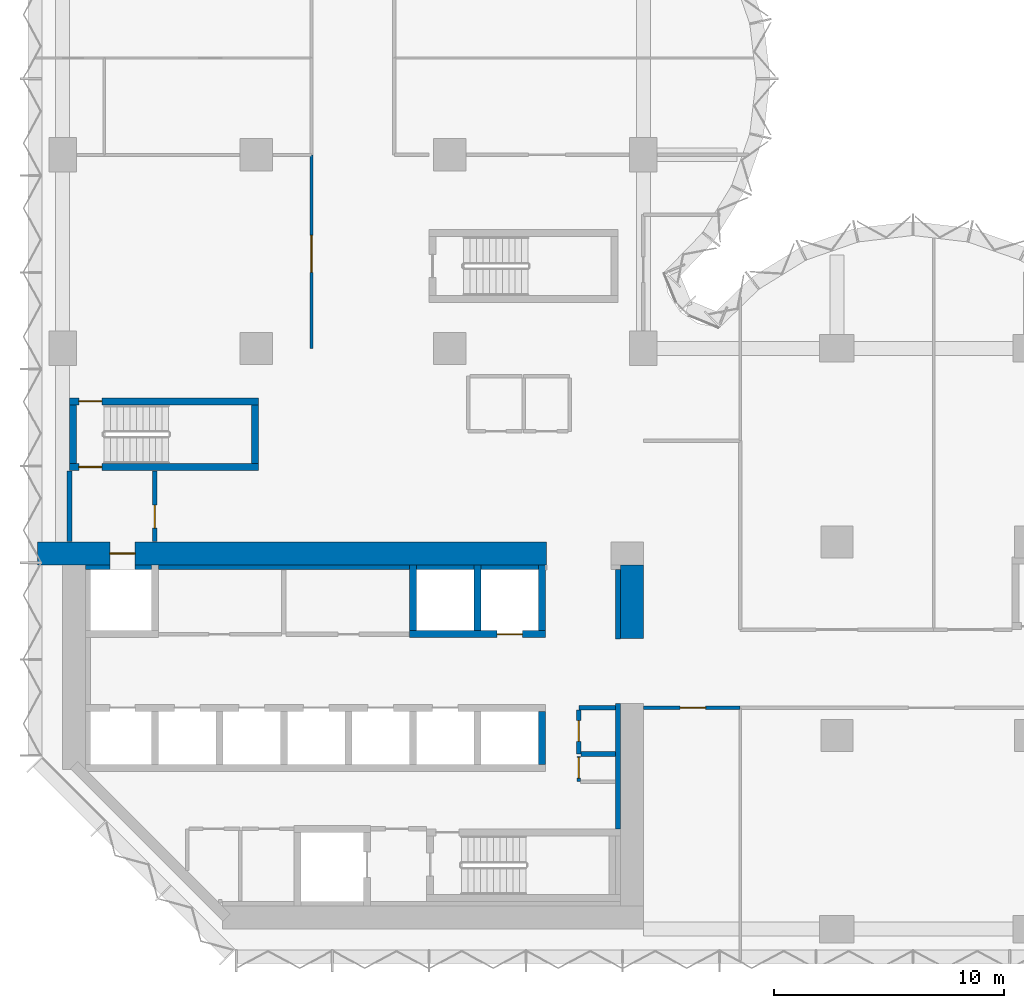
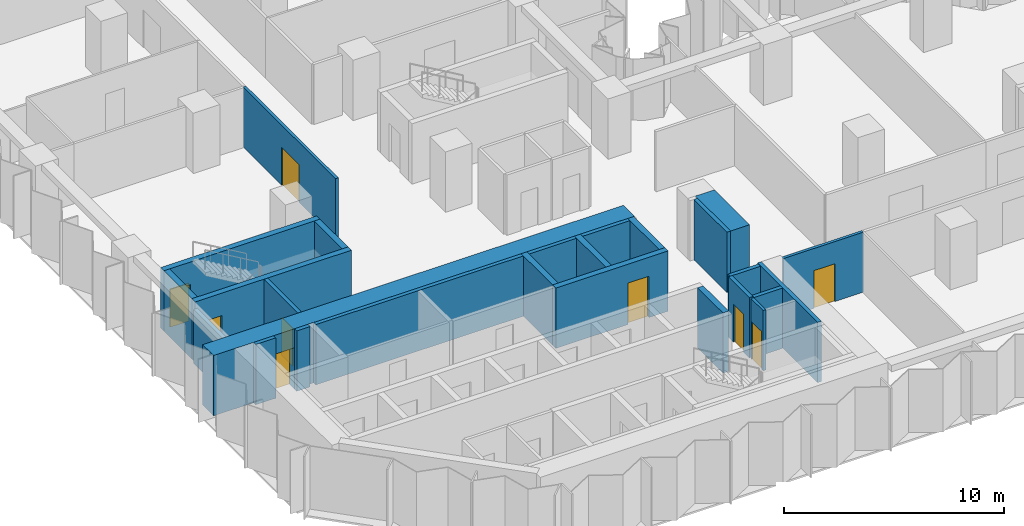
# One storey, part 8 of 15: 26 walls, 9 doors, 9 openings.
"""IFC4 building model written with IfcOpenShell, lengths in metres."""

from ifc_helpers import new_model, si_unit, direction, frame, frame_2d, origin, place, context, subcontext, project, spatial, rectangle, extrude, material, layer, layer_set, type_object, element, fill, save


model = new_model("IFC4")

# Units and contexts
model_context = context("Model", 3, precision=1e-05, world=origin(), true_north=direction((0.0, 1.0)))
body_context = subcontext(model_context, "Body", "Model", "MODEL_VIEW")
ifc_project = project(units=[si_unit("LENGTHUNIT", "METRE"), si_unit("AREAUNIT", "SQUARE_METRE"), si_unit("VOLUMEUNIT", "CUBIC_METRE"), si_unit("PLANEANGLEUNIT", "RADIAN"), si_unit("MASSUNIT", "GRAM", prefix="KILO")], contexts=[model_context])

# Site, building, storey
site_placement = place(None, origin())
site = spatial("IfcSite", under=ifc_project, at=site_placement, CompositionType="ELEMENT")
building_placement = place(site_placement, origin())
building = spatial("IfcBuilding", under=site, at=building_placement, Name="Brevane Broadcast Tower", CompositionType="ELEMENT")
storey_placement = place(building_placement, frame((0.0, 0.0, 79.699951171875)))
storey = spatial("IfcBuildingStorey", under=building, at=storey_placement, Name="L18", CompositionType="ELEMENT", Elevation=79.699951171875)

# Walls
ifc_material_1 = material(Name="Concrete C32/40", Category="concrete")
ifc_layer_1 = layer(ifc_material_1, 0.199951171875)
ifc_layer_set_1 = layer_set([ifc_layer_1], Name="Core chase wall 200 mm")
wall_type_1 = type_object("IfcWallType", Name="Core chase wall 200 mm", PredefinedType="PARTITIONING", material=ifc_layer_set_1)
wall_1_placement = place(storey_placement, frame((24.10009765625, 12.60009765625, 0.0), z_axis=(0.0, 0.0, 1.0), x_axis=(0.0, 1.0, 0.0)))
element("IfcWall", 1, at=wall_1_placement, inside=storey, type_object=wall_type_1, Name="L18 chase wall LE2", PredefinedType="PARTITIONING", context=body_context, shape_type="SweptSolid", body=[
    extrude(rectangle(XDim=3.0, YDim=0.199951171875, at=frame_2d((1.5, 0.0))), origin(), (0.0, 0.0, 1.0), 3.35009765625),
])
wall_2_placement = place(storey_placement, frame((1.0, 15.699951171875, 0.0), z_axis=(0.0, 0.0, 1.0), x_axis=(1.0, 0.0, 0.0)))
element("IfcWall", 2, at=wall_2_placement, inside=storey, type_object=wall_type_1, Name="L18 chase wall LN0", PredefinedType="PARTITIONING", context=body_context, shape_type="SweptSolid", body=[
    extrude(rectangle(XDim=1.050048828125, YDim=0.199951171875, at=frame_2d((0.52490234375, 0.0))), origin(), (0.0, 0.0, 1.0), 3.35009765625),
])
wall_3_placement = place(storey_placement, frame((3.14990234375, 15.699951171875, 0.0), z_axis=(0.0, 0.0, 1.0), x_axis=(1.0, 0.0, 0.0)))
element("IfcWall", 3, at=wall_3_placement, inside=storey, type_object=wall_type_1, Name="L18 chase wall LN1-1", PredefinedType="PARTITIONING", context=body_context, shape_type="SweptSolid", body=[
    extrude(rectangle(XDim=0.7001953125, YDim=0.199951171875, at=frame_2d((0.35009765625, 0.0))), origin(), (0.0, 0.0, 1.0), 3.35009765625),
])
wall_4_placement = place(storey_placement, frame((4.14990234375, 15.699951171875, 0.0), z_axis=(0.0, 0.0, 1.0), x_axis=(1.0, 0.0, 0.0)))
element("IfcWall", 4, at=wall_4_placement, inside=storey, type_object=wall_type_1, Name="L18 chase wall LN1-2-1", PredefinedType="PARTITIONING", context=body_context, shape_type="SweptSolid", body=[
    extrude(rectangle(XDim=10.900146484375, YDim=0.199951171875, at=frame_2d((5.4501953125, 0.0))), origin(), (0.0, 0.0, 1.0), 3.35009765625),
])
for number, where, z_axis, x_axis, name in (
    (5, (15.35009765625, 15.699951171875, 0.0), (0.0, 0.0, 1.0), (1.0, 0.0, 0.0), "L18 chase wall LN1-2-2-1"),
    (6, (18.14990234375, 15.699951171875, 0.0), (0.0, 0.0, 1.0), (1.0, 0.0, 0.0), "L18 chase wall LN1-2-2-2-1"),
):
    element("IfcWall", number, at=place(storey_placement, frame(where, z_axis=z_axis, x_axis=x_axis)), inside=storey, type_object=wall_type_1, Name=name, PredefinedType="PARTITIONING", context=body_context, shape_type="SweptSolid", body=[
        extrude(rectangle(XDim=2.5, YDim=0.199951171875, at=frame_2d((1.25, 0.0))), origin(), (0.0, 0.0, 1.0), 3.35009765625),
    ])
wall_5_placement = place(storey_placement, frame((24.10009765625, 4.35009765625, 0.0), z_axis=(0.0, 0.0, 1.0), x_axis=(0.0, 1.0, 0.0)))
element("IfcWall", 7, at=wall_5_placement, inside=storey, type_object=wall_type_1, Name="L18 chase wall LE1-2-2", PredefinedType="PARTITIONING", context=body_context, shape_type="SweptSolid", body=[
    extrude(rectangle(XDim=5.449951171875, YDim=0.199951171875, at=frame_2d((2.72509765625, 0.0))), origin(), (0.0, 0.0, 1.0), 3.35009765625),
])

# Wall, opening, door
ifc_material_2 = material(Name="Gypsum board on steel studs", Category="steel")
ifc_layer_2 = layer(ifc_material_2, 0.14990234375)
ifc_layer_set_2 = layer_set([ifc_layer_2], Name="Core fire partition 150 mm")
wall_type_2 = type_object("IfcWallType", Name="Core fire partition 150 mm", PredefinedType="PARTITIONING", material=ifc_layer_set_2)
wall_6_placement = place(storey_placement, frame((22.39990234375, 7.5, 0.0), z_axis=(0.0, 0.0, 1.0), x_axis=(0.0, -1.0, 0.0)))
wall_6 = element("IfcWall", 8, at=wall_6_placement, inside=storey, type_object=wall_type_2, Name="L18 partition wall P22", PredefinedType="PARTITIONING", context=body_context, shape_type="SweptSolid", body=[
    extrude(rectangle(XDim=1.10009765625, YDim=0.14990234375, at=frame_2d((0.550048828125, 0.0))), origin(), (0.0, 0.0, 1.0), 3.35009765625),
])
opening_1_placement = place(wall_6_placement, frame((0.050048828125, 0.0, 0.0)))
opening_1 = element("IfcOpeningElement", 9, at=opening_1_placement, cuts=wall_6, Name="Opening L18-K19", PredefinedType="OPENING", context=body_context, shape_type="SweptSolid", body=[
    extrude(rectangle(XDim=0.89990234375, YDim=2.10009765625, at=frame_2d((0.449951171875, 1.050048828125))), frame((0.0, 0.0849609375, 0.0), z_axis=(0.0, -1.0, 0.0), x_axis=(1.0, 0.0, 0.0)), (0.0, 0.0, 1.0), 0.169921875),
])
ifc_material_3 = material(Name="Steel", Category="steel")
door_type_1 = type_object("IfcDoorType", Name="Service room door 900 x 2100", OperationType="SINGLE_SWING_LEFT", PredefinedType="DOOR", material=ifc_material_3)
door_1_placement = place(opening_1_placement, origin())
door_1 = element("IfcDoor", 10, at=door_1_placement, inside=storey, type_object=door_type_1, Name="Door L18-K19", OperationType="SINGLE_SWING_LEFT", OverallHeight=2.10009765625, OverallWidth=0.89990234375, PredefinedType="DOOR", context=body_context, shape_type="SweptSolid", body=[
    extrude(rectangle(XDim=0.89990234375, YDim=2.10009765625, at=frame_2d((0.449951171875, 1.050048828125))), frame((0.0, 0.02490234375, 0.0), z_axis=(0.0, -1.0, 0.0), x_axis=(1.0, 0.0, 0.0)), (0.0, 0.0, 1.0), 0.050048828125),
])
fill(opening_1, door_1)

# Wall
ifc_layer_3 = layer(ifc_material_2, 0.199951171875)
ifc_layer_set_3 = layer_set([ifc_layer_3], Name="Core fire partition 200 mm")
wall_type_3 = type_object("IfcWallType", Name="Core fire partition 200 mm", PredefinedType="PARTITIONING", material=ifc_layer_set_3)
wall_7_placement = place(storey_placement, frame((0.300048828125, 16.81201171875, 0.0), z_axis=(0.0, 0.0, 1.0), x_axis=(0.0, 1.0, 0.0)))
element("IfcWall", 11, at=wall_7_placement, inside=storey, type_object=wall_type_3, Name="L18 partition wall P01", PredefinedType="PARTITIONING", context=body_context, shape_type="SweptSolid", body=[
    extrude(rectangle(XDim=3.075927734375, YDim=0.199951171875, at=frame_2d((1.5380859375, 0.0))), origin(), (0.0, 0.0, 1.0), 2.97998046875),
])

# Wall, opening, door
wall_8_placement = place(storey_placement, frame((4.0, 19.887939453125, 0.0), z_axis=(0.0, 0.0, 1.0), x_axis=(0.0, -1.0, 0.0)))
wall_8 = element("IfcWall", 12, at=wall_8_placement, inside=storey, type_object=wall_type_3, Name="L18 partition wall P02", PredefinedType="PARTITIONING", context=body_context, shape_type="SweptSolid", body=[
    extrude(rectangle(XDim=3.075927734375, YDim=0.199951171875, at=frame_2d((1.5380859375, 0.0))), origin(), (0.0, 0.0, 1.0), 3.35009765625),
])
opening_2_placement = place(wall_8_placement, frame((1.488037109375, 0.0, 0.0)))
opening_2 = element("IfcOpeningElement", 13, at=opening_2_placement, cuts=wall_8, Name="Opening L18-K23", PredefinedType="OPENING", context=body_context, shape_type="SweptSolid", body=[
    extrude(rectangle(XDim=1.0, YDim=2.10009765625, at=frame_2d((0.5, 1.050048828125))), frame((0.0, 0.10986328125, 0.0), z_axis=(0.0, -1.0, 0.0), x_axis=(1.0, 0.0, 0.0)), (0.0, 0.0, 1.0), 0.219970703125),
])
door_type_2 = type_object("IfcDoorType", Name="Stair door 1000 x 2100", OperationType="SINGLE_SWING_LEFT", PredefinedType="DOOR", material=ifc_material_3)
door_2_placement = place(opening_2_placement, origin())
door_2 = element("IfcDoor", 14, at=door_2_placement, inside=storey, type_object=door_type_2, Name="Door L18-K23", OperationType="SINGLE_SWING_LEFT", OverallHeight=2.10009765625, OverallWidth=1.0, PredefinedType="DOOR", context=body_context, shape_type="SweptSolid", body=[
    extrude(rectangle(XDim=1.0, YDim=2.10009765625, at=frame_2d((0.5, 1.050048828125))), frame((0.0, 0.02490234375, 0.0), z_axis=(0.0, -1.0, 0.0), x_axis=(1.0, 0.0, 0.0)), (0.0, 0.0, 1.0), 0.050048828125),
])
fill(opening_2, door_2)

# Wall
wall_9_placement = place(storey_placement, frame((23.988037109375, 9.60009765625, 0.0), z_axis=(0.0, 0.0, 1.0), x_axis=(-1.0, 0.0, 0.0)))
element("IfcWall", 15, at=wall_9_placement, inside=storey, type_object=wall_type_3, Name="L18 partition wall P06", PredefinedType="PARTITIONING", context=body_context, shape_type="SweptSolid", body=[
    extrude(rectangle(XDim=1.588134765625, YDim=0.199951171875, at=frame_2d((0.7939453125, 0.0))), origin(), (0.0, 0.0, 1.0), 3.35009765625),
])

# Wall, opening, door
wall_10_placement = place(storey_placement, frame((22.39990234375, 9.5, 0.0), z_axis=(0.0, 0.0, 1.0), x_axis=(0.0, -1.0, 0.0)))
wall_10 = element("IfcWall", 16, at=wall_10_placement, inside=storey, type_object=wall_type_3, Name="L18 partition wall P07", PredefinedType="PARTITIONING", context=body_context, shape_type="SweptSolid", body=[
    extrude(rectangle(XDim=1.89990234375, YDim=0.199951171875, at=frame_2d((0.949951171875, 0.0))), origin(), (0.0, 0.0, 1.0), 3.35009765625),
])
opening_3_placement = place(wall_10_placement, frame((0.449951171875, 0.0, 0.0)))
opening_3 = element("IfcOpeningElement", 17, at=opening_3_placement, cuts=wall_10, Name="Opening L18-K20", PredefinedType="OPENING", context=body_context, shape_type="SweptSolid", body=[
    extrude(rectangle(XDim=0.89990234375, YDim=2.10009765625, at=frame_2d((0.449951171875, 1.050048828125))), frame((0.0, 0.10986328125, 0.0), z_axis=(0.0, -1.0, 0.0), x_axis=(1.0, 0.0, 0.0)), (0.0, 0.0, 1.0), 0.219970703125),
])
door_3_placement = place(opening_3_placement, origin())
door_3 = element("IfcDoor", 18, at=door_3_placement, inside=storey, type_object=door_type_1, Name="Door L18-K20", OperationType="SINGLE_SWING_RIGHT", OverallHeight=2.10009765625, OverallWidth=0.89990234375, PredefinedType="DOOR", context=body_context, shape_type="SweptSolid", body=[
    extrude(rectangle(XDim=0.89990234375, YDim=2.10009765625, at=frame_2d((0.449951171875, 1.050048828125))), frame((0.0, 0.02490234375, 0.0), z_axis=(0.0, -1.0, 0.0), x_axis=(1.0, 0.0, 0.0)), (0.0, 0.0, 1.0), 0.050048828125),
])
fill(opening_3, door_3)

# Wall
wall_11_placement = place(storey_placement, frame((22.5, 7.60009765625, 0.0), z_axis=(0.0, 0.0, 1.0), x_axis=(1.0, 0.0, 0.0)))
element("IfcWall", 19, at=wall_11_placement, inside=storey, type_object=wall_type_3, Name="L18 partition wall P08", PredefinedType="PARTITIONING", context=body_context, shape_type="SweptSolid", body=[
    extrude(rectangle(XDim=1.488037109375, YDim=0.199951171875, at=frame_2d((0.744140625, 0.0))), origin(), (0.0, 0.0, 1.0), 3.35009765625),
])

# Wall, opening, door
ifc_material_4 = material(Name="Concrete C80/95", Category="concrete")
ifc_layer_4 = layer(ifc_material_4, 1.0)
ifc_layer_set_4 = layer_set([ifc_layer_4], Name="Core wall 1000 mm C80/95")
wall_type_4 = type_object("IfcWallType", Name="Core wall 1000 mm C80/95", PredefinedType="SHEAR", material=ifc_layer_set_4)
wall_12_placement = place(storey_placement, frame((-1.10009765625, 16.300048828125, 0.0), z_axis=(0.0, 0.0, 1.0), x_axis=(1.0, 0.0, 0.0)))
wall_12 = element("IfcWall", 20, at=wall_12_placement, inside=storey, type_object=wall_type_4, Name="L18 outer wall WN1", PredefinedType="SHEAR", context=body_context, shape_type="SweptSolid", body=[
    extrude(rectangle(XDim=22.10009765625, YDim=1.0, at=frame_2d((11.050048828125, 0.0))), origin(), (0.0, 0.0, 1.0), 3.35009765625),
])
opening_4_placement = place(wall_12_placement, frame((3.14990234375, 0.0, 0.0)))
opening_4 = element("IfcOpeningElement", 21, at=opening_4_placement, cuts=wall_12, Name="Opening LD", PredefinedType="OPENING", context=body_context, shape_type="SweptSolid", body=[
    extrude(rectangle(XDim=1.10009765625, YDim=2.300048828125, at=frame_2d((0.550048828125, 1.14990234375))), frame((0.0, 0.510009765625, 0.0), z_axis=(0.0, -1.0, 0.0), x_axis=(1.0, 0.0, 0.0)), (0.0, 0.0, 1.0), 1.02001953125),
])
ifc_material_5 = material(Name="Stainless steel", Category="steel")
door_type_3 = type_object("IfcDoorType", Name="Lift landing door", OperationType="SLIDING_TO_LEFT", PredefinedType="DOOR", material=ifc_material_5)
door_4_placement = place(opening_4_placement, origin())
door_4 = element("IfcDoor", 22, at=door_4_placement, inside=storey, type_object=door_type_3, Name="Landing door FF1 L18", OperationType="SLIDING_TO_LEFT", OverallHeight=2.300048828125, OverallWidth=1.10009765625, PredefinedType="DOOR", context=body_context, shape_type="SweptSolid", body=[
    extrude(rectangle(XDim=1.10009765625, YDim=2.300048828125, at=frame_2d((0.550048828125, 1.14990234375))), frame((0.0, 0.02490234375, 0.0), z_axis=(0.0, -1.0, 0.0), x_axis=(1.0, 0.0, 0.0)), (0.0, 0.0, 1.0), 0.050048828125),
])
fill(opening_4, door_4)

# Walls
wall_13_placement = place(storey_placement, frame((24.699951171875, 12.60009765625, 0.0), z_axis=(0.0, 0.0, 1.0), x_axis=(0.0, 1.0, 0.0)))
element("IfcWall", 23, at=wall_13_placement, inside=storey, type_object=wall_type_4, Name="L18 outer wall WE2", PredefinedType="SHEAR", context=body_context, shape_type="SweptSolid", body=[
    extrude(rectangle(XDim=3.199951171875, YDim=1.0, at=frame_2d((1.60009765625, 0.0))), origin(), (0.0, 0.0, 1.0), 3.35009765625),
])
ifc_layer_5 = layer(ifc_material_4, 0.300048828125)
ifc_layer_set_5 = layer_set([ifc_layer_5], Name="Core wall 300 mm C80/95")
wall_type_5 = type_object("IfcWallType", Name="Core wall 300 mm C80/95", PredefinedType="SHEAR", material=ifc_layer_set_5)
wall_14_placement = place(storey_placement, frame((20.800048828125, 7.14990234375, 0.0), z_axis=(0.0, 0.0, 1.0), x_axis=(0.0, 1.0, 0.0)))
element("IfcWall", 24, at=wall_14_placement, inside=storey, type_object=wall_type_5, Name="L18 shaft wall SH-S-P208", PredefinedType="SHEAR", context=body_context, shape_type="SweptSolid", body=[
    extrude(rectangle(XDim=2.300048828125, YDim=0.300048828125, at=frame_2d((1.14990234375, 0.0))), origin(), (0.0, 0.0, 1.0), 3.35009765625),
])

# Wall, opening, door
wall_15_placement = place(storey_placement, frame((15.050048828125, 12.800048828125, 0.0), z_axis=(0.0, 0.0, 1.0), x_axis=(1.0, 0.0, 0.0)))
wall_15 = element("IfcWall", 25, at=wall_15_placement, inside=storey, type_object=wall_type_5, Name="L18 shaft wall SH-N152-front", PredefinedType="SHEAR", context=body_context, shape_type="SweptSolid", body=[
    extrude(rectangle(XDim=5.89990234375, YDim=0.300048828125, at=frame_2d((2.949951171875, 0.0))), origin(), (0.0, 0.0, 1.0), 3.35009765625),
])
opening_5_placement = place(wall_15_placement, frame((3.800048828125, 0.0, 0.0)))
opening_5 = element("IfcOpeningElement", 26, at=opening_5_placement, cuts=wall_15, Name="Opening LD", PredefinedType="OPENING", context=body_context, shape_type="SweptSolid", body=[
    extrude(rectangle(XDim=1.10009765625, YDim=2.300048828125, at=frame_2d((0.550048828125, 1.14990234375))), frame((0.0, 0.159912109375, 0.0), z_axis=(0.0, -1.0, 0.0), x_axis=(1.0, 0.0, 0.0)), (0.0, 0.0, 1.0), 0.320068359375),
])
door_5_placement = place(opening_5_placement, origin())
door_5 = element("IfcDoor", 27, at=door_5_placement, inside=storey, type_object=door_type_3, Name="Landing door SL1 L18", OperationType="SLIDING_TO_LEFT", OverallHeight=2.300048828125, OverallWidth=1.10009765625, PredefinedType="DOOR", context=body_context, shape_type="SweptSolid", body=[
    extrude(rectangle(XDim=1.10009765625, YDim=2.300048828125, at=frame_2d((0.550048828125, 1.14990234375))), frame((0.0, 0.02490234375, 0.0), z_axis=(0.0, -1.0, 0.0), x_axis=(1.0, 0.0, 0.0)), (0.0, 0.0, 1.0), 0.050048828125),
])
fill(opening_5, door_5)

# Walls
for number, where, z_axis, x_axis, name in (
    (28, (15.199951171875, 12.949951171875, 0.0), (0.0, 0.0, 1.0), (0.0, 1.0, 0.0), "L18 shaft wall SH-N-P152"),
    (29, (18.0, 12.949951171875, 0.0), (0.0, 0.0, 1.0), (0.0, 1.0, 0.0), "L18 shaft wall SH-N-P180"),
    (30, (20.800048828125, 12.949951171875, 0.0), (0.0, 0.0, 1.0), (0.0, 1.0, 0.0), "L18 shaft wall SH-N-P208"),
):
    element("IfcWall", number, at=place(storey_placement, frame(where, z_axis=z_axis, x_axis=x_axis)), inside=storey, type_object=wall_type_5, Name=name, PredefinedType="SHEAR", context=body_context, shape_type="SweptSolid", body=[
        extrude(rectangle(XDim=2.85009765625, YDim=0.300048828125, at=frame_2d((1.425048828125, 0.0))), origin(), (0.0, 0.0, 1.0), 3.35009765625),
    ])

# Wall, opening, door
wall_16_placement = place(storey_placement, frame((8.5, 20.050048828125, 0.0), z_axis=(0.0, 0.0, 1.0), x_axis=(-1.0, 0.0, 0.0)))
wall_16 = element("IfcWall", 31, at=wall_16_placement, inside=storey, type_object=wall_type_5, Name="L18 stair wall ST-1-S", PredefinedType="SHEAR", context=body_context, shape_type="SweptSolid", body=[
    extrude(rectangle(XDim=8.199951171875, YDim=0.300048828125, at=frame_2d((4.10009765625, 0.0))), origin(), (0.0, 0.0, 1.0), 3.35009765625),
])
opening_6_placement = place(wall_16_placement, frame((6.800048828125, 0.0, 0.0)))
opening_6 = element("IfcOpeningElement", 32, at=opening_6_placement, cuts=wall_16, Name="Opening L18-K10", PredefinedType="OPENING", context=body_context, shape_type="SweptSolid", body=[
    extrude(rectangle(XDim=1.0, YDim=2.10009765625, at=frame_2d((0.5, 1.050048828125))), frame((0.0, 0.159912109375, 0.0), z_axis=(0.0, -1.0, 0.0), x_axis=(1.0, 0.0, 0.0)), (0.0, 0.0, 1.0), 0.320068359375),
])
door_6_placement = place(opening_6_placement, origin())
door_6 = element("IfcDoor", 33, at=door_6_placement, inside=storey, type_object=door_type_2, Name="Door L18-K10", OperationType="SINGLE_SWING_RIGHT", OverallHeight=2.10009765625, OverallWidth=1.0, PredefinedType="DOOR", context=body_context, shape_type="SweptSolid", body=[
    extrude(rectangle(XDim=1.0, YDim=2.10009765625, at=frame_2d((0.5, 1.050048828125))), frame((0.0, 0.02490234375, 0.0), z_axis=(0.0, -1.0, 0.0), x_axis=(1.0, 0.0, 0.0)), (0.0, 0.0, 1.0), 0.050048828125),
])
fill(opening_6, door_6)

wall_17_placement = place(storey_placement, frame((0.300048828125, 22.89990234375, 0.0), z_axis=(0.0, 0.0, 1.0), x_axis=(1.0, 0.0, 0.0)))
wall_17 = element("IfcWall", 34, at=wall_17_placement, inside=storey, type_object=wall_type_5, Name="L18 stair wall ST-1-N", PredefinedType="SHEAR", context=body_context, shape_type="SweptSolid", body=[
    extrude(rectangle(XDim=8.199951171875, YDim=0.300048828125, at=frame_2d((4.10009765625, 0.0))), origin(), (0.0, 0.0, 1.0), 3.35009765625),
])
opening_7_placement = place(wall_17_placement, frame((0.39990234375, 0.0, 0.0)))
opening_7 = element("IfcOpeningElement", 35, at=opening_7_placement, cuts=wall_17, Name="Opening L18-K11", PredefinedType="OPENING", context=body_context, shape_type="SweptSolid", body=[
    extrude(rectangle(XDim=1.0, YDim=2.10009765625, at=frame_2d((0.5, 1.050048828125))), frame((0.0, 0.159912109375, 0.0), z_axis=(0.0, -1.0, 0.0), x_axis=(1.0, 0.0, 0.0)), (0.0, 0.0, 1.0), 0.320068359375),
])
door_7_placement = place(opening_7_placement, origin())
door_7 = element("IfcDoor", 36, at=door_7_placement, inside=storey, type_object=door_type_2, Name="Door L18-K11", OperationType="SINGLE_SWING_LEFT", OverallHeight=2.10009765625, OverallWidth=1.0, PredefinedType="DOOR", context=body_context, shape_type="SweptSolid", body=[
    extrude(rectangle(XDim=1.0, YDim=2.10009765625, at=frame_2d((0.5, 1.050048828125))), frame((0.0, 0.02490234375, 0.0), z_axis=(0.0, -1.0, 0.0), x_axis=(1.0, 0.0, 0.0)), (0.0, 0.0, 1.0), 0.050048828125),
])
fill(opening_7, door_7)

# Walls
for number, where, z_axis, x_axis, name in (
    (37, (0.449951171875, 20.199951171875, 0.0), (0.0, 0.0, 1.0), (0.0, 1.0, 0.0), "L18 stair wall ST-1-W"),
    (38, (8.35009765625, 20.199951171875, 0.0), (0.0, 0.0, 1.0), (0.0, 1.0, 0.0), "L18 stair wall ST-1-E"),
):
    element("IfcWall", number, at=place(storey_placement, frame(where, z_axis=z_axis, x_axis=x_axis)), inside=storey, type_object=wall_type_5, Name=name, PredefinedType="SHEAR", context=body_context, shape_type="SweptSolid", body=[
        extrude(rectangle(XDim=2.550048828125, YDim=0.300048828125, at=frame_2d((1.27490234375, 0.0))), origin(), (0.0, 0.0, 1.0), 3.35009765625),
    ])

# Wall, opening, door
ifc_material_6 = material(Name="Gypsum board partition")
ifc_layer_6 = layer(ifc_material_6, 0.14990234375)
ifc_layer_set_6 = layer_set([ifc_layer_6], Name="PARTITION 150 EI 60")
wall_type_6 = type_object("IfcWallType", Name="PARTITION 150 EI 60", PredefinedType="PARTITIONING", material=ifc_layer_set_6)
wall_18_placement = place(storey_placement, frame((29.39990234375, 9.60009765625, 0.0), z_axis=(0.0, 0.0, 1.0), x_axis=(-1.0, 0.0, 0.0)))
wall_18 = element("IfcWall", 39, at=wall_18_placement, inside=storey, type_object=wall_type_6, Name="Partition G05-002", PredefinedType="PARTITIONING", context=body_context, shape_type="SweptSolid", body=[
    extrude(rectangle(XDim=4.199951171875, YDim=0.14990234375, at=frame_2d((2.10009765625, 0.0))), origin(), (0.0, 0.0, 1.0), 3.330078125),
])
opening_8_placement = place(wall_18_placement, frame((1.5, 0.0, 0.0)))
opening_8 = element("IfcOpeningElement", 40, at=opening_8_placement, cuts=wall_18, Name="Opening D11-003", PredefinedType="OPENING", context=body_context, shape_type="SweptSolid", body=[
    extrude(rectangle(XDim=1.10009765625, YDim=2.10009765625, at=frame_2d((0.550048828125, 1.050048828125))), frame((0.0, 0.0849609375, 0.0), z_axis=(0.0, -1.0, 0.0), x_axis=(1.0, 0.0, 0.0)), (0.0, 0.0, 1.0), 0.169921875),
])
ifc_material_7 = material(Name="Fire-rated timber door leaf", Category="wood")
door_type_4 = type_object("IfcDoorType", Name="DOOR SINGLE 1100 FD30S", OperationType="SINGLE_SWING_LEFT", PredefinedType="DOOR", material=ifc_material_7)
door_8_placement = place(opening_8_placement, origin())
door_8 = element("IfcDoor", 41, at=door_8_placement, inside=storey, type_object=door_type_4, Name="Door D11-003", OperationType="SINGLE_SWING_LEFT", OverallHeight=2.10009765625, OverallWidth=1.10009765625, PredefinedType="DOOR", context=body_context, shape_type="SweptSolid", body=[
    extrude(rectangle(XDim=1.10009765625, YDim=2.10009765625, at=frame_2d((0.550048828125, 1.050048828125))), frame((0.0, 0.02490234375, 0.0), z_axis=(0.0, -1.0, 0.0), x_axis=(1.0, 0.0, 0.0)), (0.0, 0.0, 1.0), 0.050048828125),
])
fill(opening_8, door_8)

wall_19_placement = place(storey_placement, frame((10.800048828125, 25.199951171875, 0.0), z_axis=(0.0, 0.0, 1.0), x_axis=(0.0, 1.0, 0.0)))
wall_19 = element("IfcWall", 42, at=wall_19_placement, inside=storey, type_object=wall_type_6, Name="Partition G05-025", PredefinedType="PARTITIONING", context=body_context, shape_type="SweptSolid", body=[
    extrude(rectangle(XDim=8.400146484375, YDim=0.14990234375, at=frame_2d((4.2001953125, 0.0))), origin(), (0.0, 0.0, 1.0), 3.330078125),
])
opening_9_placement = place(wall_19_placement, frame((3.300048828125, 0.0, 0.0)))
opening_9 = element("IfcOpeningElement", 43, at=opening_9_placement, cuts=wall_19, Name="Opening D11-012", PredefinedType="OPENING", context=body_context, shape_type="SweptSolid", body=[
    extrude(rectangle(XDim=1.60009765625, YDim=2.10009765625, at=frame_2d((0.800048828125, 1.050048828125))), frame((0.0, 0.0849609375, 0.0), z_axis=(0.0, -1.0, 0.0), x_axis=(1.0, 0.0, 0.0)), (0.0, 0.0, 1.0), 0.169921875),
])
door_type_5 = type_object("IfcDoorType", Name="DOOR DOUBLE 1600 FD30S", OperationType="DOUBLE_DOOR_SINGLE_SWING", PredefinedType="DOOR", material=ifc_material_7)
door_9_placement = place(opening_9_placement, origin())
door_9 = element("IfcDoor", 44, at=door_9_placement, inside=storey, type_object=door_type_5, Name="Door D11-012", OperationType="DOUBLE_DOOR_SINGLE_SWING", OverallHeight=2.10009765625, OverallWidth=1.60009765625, PredefinedType="DOOR", context=body_context, shape_type="SweptSolid", body=[
    extrude(rectangle(XDim=1.60009765625, YDim=2.10009765625, at=frame_2d((0.800048828125, 1.050048828125))), frame((0.0, 0.02490234375, 0.0), z_axis=(0.0, -1.0, 0.0), x_axis=(1.0, 0.0, 0.0)), (0.0, 0.0, 1.0), 0.050048828125),
])
fill(opening_9, door_9)

save(model, "model.ifc")
